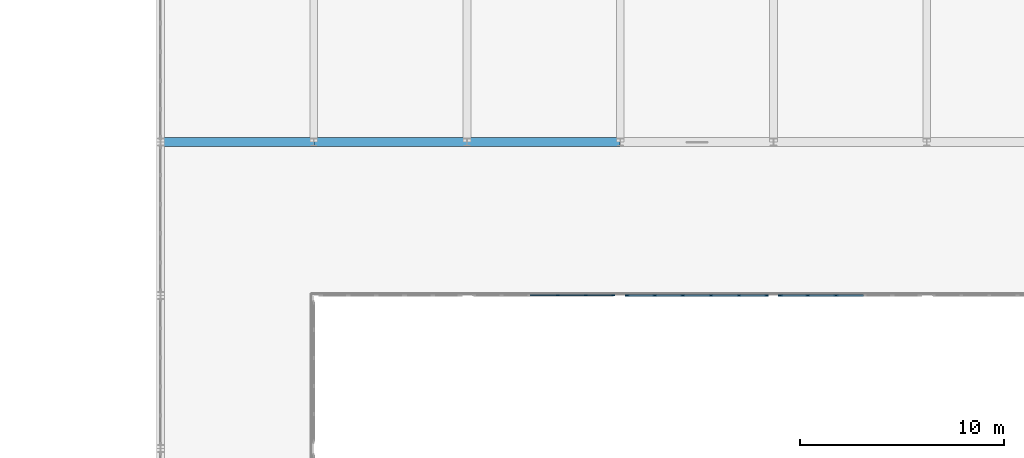
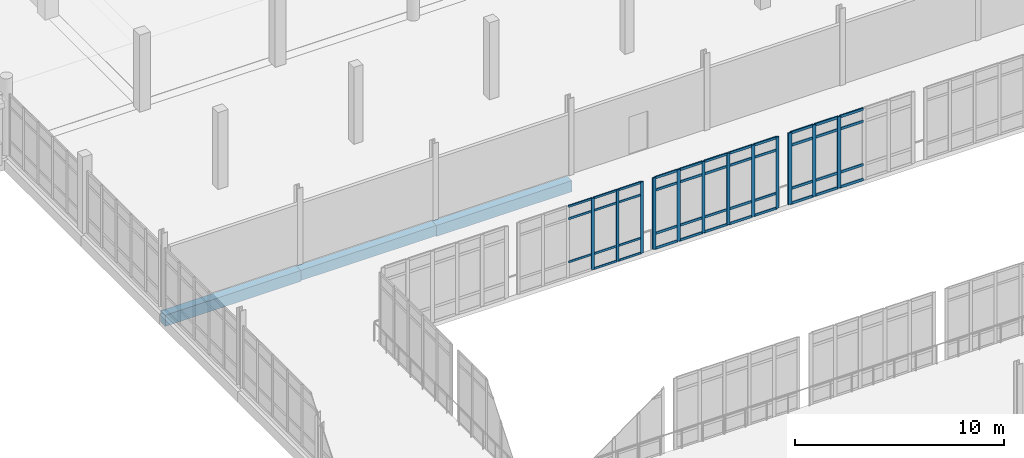
# One storey, part 36 of 128: 55 members, 3 beams, 3 elements without a shape of their own.
"""IFC4 building model written with IfcOpenShell, lengths in metres."""

from ifc_helpers import new_model, si_unit, direction, frame, origin, origin_2d, place, context, subcontext, project, spatial, rectangle, extrude, material, layer, layer_set, material_profile, profile_set, type_object, element, aggregate, save


model = new_model("IFC4")

# Units and contexts
model_context = context("Model", 3, precision=1e-05, world=origin(), true_north=direction((0.0, 1.0)))
body_context = subcontext(model_context, "Body", "Model", "MODEL_VIEW")
ifc_project = project(units=[si_unit("LENGTHUNIT", "METRE"), si_unit("AREAUNIT", "SQUARE_METRE"), si_unit("VOLUMEUNIT", "CUBIC_METRE"), si_unit("PLANEANGLEUNIT", "RADIAN"), si_unit("MASSUNIT", "GRAM", prefix="KILO")], contexts=[model_context])

# Site, building, storey
site_placement = place(None, origin())
site = spatial("IfcSite", under=ifc_project, at=site_placement, CompositionType="ELEMENT")
building_placement = place(site_placement, origin())
building = spatial("IfcBuilding", under=site, at=building_placement, Name="Dalvernix Boulevard General Hospital", CompositionType="ELEMENT")
storey_placement = place(building_placement, frame((0.0, 0.0, 4.800048828125)))
storey = spatial("IfcBuildingStorey", under=building, at=storey_placement, Name="L01", CompositionType="ELEMENT", Elevation=4.800048828125)

# Beams
ifc_material_1 = material(Name="Concrete C35/45", Category="concrete")
ifc_material_profile_1 = material_profile(ifc_material_1, rectangle(XDim=0.449951171875, YDim=0.64990234375, at=origin_2d()), Name="RCB 450x650")
ifc_profile_set_1 = profile_set([ifc_material_profile_1], Name="Concrete C35/45")
beam_type_1 = type_object("IfcBeamType", Name="BM-B-03-I", PredefinedType="BEAM", material=ifc_profile_set_1)
for number, where, z_axis, x_axis, name in (
    (1, (60.0, 61.5, -0.625), (1.0, 0.0, 0.0), (0.0, 1.0, 0.0), "L01 E-W girder J:9-10"),
    (2, (75.0, 61.5, -0.625), (1.0, 0.0, 0.0), (0.0, 1.0, 0.0), "L01 E-W girder J:11-12"),
):
    element("IfcBeam", number, at=place(storey_placement, frame(where, z_axis=z_axis, x_axis=x_axis)), inside=storey, type_object=beam_type_1, Name=name, PredefinedType="BEAM", context=body_context, shape_type="SweptSolid", body=[
        extrude(rectangle(XDim=0.449951171875, YDim=0.64990234375, at=origin_2d()), origin(), (0.0, 0.0, 1.0), 7.5),
    ])
ifc_material_profile_2 = material_profile(ifc_material_1, rectangle(XDim=0.449951171875, YDim=0.60009765625, at=origin_2d()), Name="RCB 450x600")
ifc_profile_set_2 = profile_set([ifc_material_profile_2], Name="Concrete C35/45")
beam_type_2 = type_object("IfcBeamType", Name="BM-B-04-I", PredefinedType="BEAM", material=ifc_profile_set_2)
beam_placement = place(storey_placement, frame((67.5, 61.5, -0.60009765625), z_axis=(1.0, 0.0, 0.0), x_axis=(0.0, 1.0, 0.0)))
element("IfcBeam", 3, at=beam_placement, inside=storey, type_object=beam_type_2, Name="L01 E-W girder J:10-11", PredefinedType="BEAM", context=body_context, shape_type="SweptSolid", body=[
    extrude(rectangle(XDim=0.449951171875, YDim=0.60009765625, at=origin_2d()), origin(), (0.0, 0.0, 1.0), 7.5),
])

# Curtain wall, members
ifc_material_2 = material(Name="Thermally broken aluminium and solar-control glass curtain wall", Category="aluminium")
ifc_layer_1 = layer(ifc_material_2, 0.159912109375)
ifc_layer_set_1 = layer_set([ifc_layer_1], Name="Thermally broken aluminium and solar-control glass curtain wall (CW-CW-A-69x42)")
curtain_wall_type_1 = type_object("IfcCurtainWallType", Name="CW-CW-A-69x42", PredefinedType="USERDEFINED", material=ifc_layer_set_1)
curtain_wall_1_placement = place(storey_placement, origin())
curtain_wall_1 = element("IfcCurtainWall", 4, at=curtain_wall_1_placement, inside=storey, type_object=curtain_wall_type_1, Name="L01 curtain wall CW-A-69x42 10-7", ObjectType="GLAZED FACADE", PredefinedType="USERDEFINED")
ifc_material_3 = material(Name="Aluminium EN AW-6060", Category="aluminium")
ifc_material_profile_3 = material_profile(ifc_material_3, rectangle(XDim=0.06005859375, YDim=0.159912109375, at=origin_2d()), Name="ALU MULL 60x160")
ifc_profile_set_3 = profile_set([ifc_material_profile_3], Name="Aluminium EN AW-6060")
member_type_1 = type_object("IfcMemberType", Name="MEM-CW-M1", PredefinedType="MULLION", material=ifc_profile_set_3)
member_1_placement = place(storey_placement, frame((82.159912109375, 54.0, 0.0), z_axis=(0.0, 0.0, 1.0), x_axis=(0.0, -1.0, 0.0)))
member_1 = element("IfcMember", 5, at=member_1_placement, type_object=member_type_1, Name="CW-A-69x42 mullion 1", PredefinedType="MULLION", context=body_context, shape_type="SweptSolid", body=[
    extrude(rectangle(XDim=0.06005859375, YDim=0.159912109375, at=origin_2d()), origin(), (0.0, 0.0, 1.0), 4.179931640625),
])
member_2_placement = place(storey_placement, frame((80.81396484375, 54.0, 0.0), z_axis=(0.0, 0.0, 1.0), x_axis=(0.0, -1.0, 0.0)))
member_2 = element("IfcMember", 6, at=member_2_placement, type_object=member_type_1, Name="CW-A-69x42 mullion 2", PredefinedType="MULLION", context=body_context, shape_type="SweptSolid", body=[
    extrude(rectangle(XDim=0.06005859375, YDim=0.159912109375, at=origin_2d()), origin(), (0.0, 0.0, 1.0), 4.179931640625),
])
member_3_placement = place(storey_placement, frame((79.43798828125, 54.0, 0.0), z_axis=(0.0, 0.0, 1.0), x_axis=(0.0, -1.0, 0.0)))
member_3 = element("IfcMember", 7, at=member_3_placement, type_object=member_type_1, Name="CW-A-69x42 mullion 3", PredefinedType="MULLION", context=body_context, shape_type="SweptSolid", body=[
    extrude(rectangle(XDim=0.06005859375, YDim=0.159912109375, at=origin_2d()), origin(), (0.0, 0.0, 1.0), 4.179931640625),
])

ifc_layer_2 = layer(ifc_material_2, 0.179931640625)
ifc_layer_set_2 = layer_set([ifc_layer_2], Name="Thermally broken aluminium and solar-control glass curtain wall (CW-CW-B-69x42)")
curtain_wall_type_2 = type_object("IfcCurtainWallType", Name="CW-CW-B-69x42", PredefinedType="USERDEFINED", material=ifc_layer_set_2)
curtain_wall_2_placement = place(storey_placement, origin())
curtain_wall_2 = element("IfcCurtainWall", 8, at=curtain_wall_2_placement, inside=storey, type_object=curtain_wall_type_2, Name="L01 curtain wall CW-B-69x42 11-7", ObjectType="GLAZED FACADE", PredefinedType="USERDEFINED")
ifc_material_profile_4 = material_profile(ifc_material_3, rectangle(XDim=0.06494140625, YDim=0.179931640625, at=origin_2d()), Name="ALU MULL 65x180")
ifc_profile_set_4 = profile_set([ifc_material_profile_4], Name="Aluminium EN AW-6060")
member_type_2 = type_object("IfcMemberType", Name="MEM-CW-M2", PredefinedType="MULLION", material=ifc_profile_set_4)
member_4_placement = place(storey_placement, frame((89.657470703125, 54.0, 0.0), z_axis=(0.0, 0.0, 1.0), x_axis=(0.0, -1.0, 0.0)))
member_4 = element("IfcMember", 9, at=member_4_placement, type_object=member_type_2, Name="CW-B-69x42 mullion 1", PredefinedType="MULLION", context=body_context, shape_type="SweptSolid", body=[
    extrude(rectangle(XDim=0.06494140625, YDim=0.179931640625, at=origin_2d()), origin(), (0.0, 0.0, 1.0), 4.179931640625),
])
member_5_placement = place(storey_placement, frame((88.31396484375, 54.0, 0.0), z_axis=(0.0, 0.0, 1.0), x_axis=(0.0, -1.0, 0.0)))
member_5 = element("IfcMember", 10, at=member_5_placement, type_object=member_type_2, Name="CW-B-69x42 mullion 2", PredefinedType="MULLION", context=body_context, shape_type="SweptSolid", body=[
    extrude(rectangle(XDim=0.06494140625, YDim=0.179931640625, at=origin_2d()), origin(), (0.0, 0.0, 1.0), 4.179931640625),
])
member_6_placement = place(storey_placement, frame((86.93798828125, 54.0, 0.0), z_axis=(0.0, 0.0, 1.0), x_axis=(0.0, -1.0, 0.0)))
member_6 = element("IfcMember", 11, at=member_6_placement, type_object=member_type_2, Name="CW-B-69x42 mullion 3", PredefinedType="MULLION", context=body_context, shape_type="SweptSolid", body=[
    extrude(rectangle(XDim=0.06494140625, YDim=0.179931640625, at=origin_2d()), origin(), (0.0, 0.0, 1.0), 4.179931640625),
])
member_7_placement = place(storey_placement, frame((85.56201171875, 54.0, 0.0), z_axis=(0.0, 0.0, 1.0), x_axis=(0.0, -1.0, 0.0)))
member_7 = element("IfcMember", 12, at=member_7_placement, type_object=member_type_2, Name="CW-B-69x42 mullion 4", PredefinedType="MULLION", context=body_context, shape_type="SweptSolid", body=[
    extrude(rectangle(XDim=0.06494140625, YDim=0.179931640625, at=origin_2d()), origin(), (0.0, 0.0, 1.0), 4.179931640625),
])
member_8_placement = place(storey_placement, frame((84.18603515625, 54.0, 0.0), z_axis=(0.0, 0.0, 1.0), x_axis=(0.0, -1.0, 0.0)))
member_8 = element("IfcMember", 13, at=member_8_placement, type_object=member_type_2, Name="CW-B-69x42 mullion 5", PredefinedType="MULLION", context=body_context, shape_type="SweptSolid", body=[
    extrude(rectangle(XDim=0.06494140625, YDim=0.179931640625, at=origin_2d()), origin(), (0.0, 0.0, 1.0), 4.179931640625),
])
member_9_placement = place(storey_placement, frame((82.842529296875, 54.0, 0.0), z_axis=(0.0, 0.0, 1.0), x_axis=(0.0, -1.0, 0.0)))
member_9 = element("IfcMember", 14, at=member_9_placement, type_object=member_type_2, Name="CW-B-69x42 mullion 6", PredefinedType="MULLION", context=body_context, shape_type="SweptSolid", body=[
    extrude(rectangle(XDim=0.06494140625, YDim=0.179931640625, at=origin_2d()), origin(), (0.0, 0.0, 1.0), 4.179931640625),
])

ifc_layer_3 = layer(ifc_material_2, 0.199951171875)
ifc_layer_set_3 = layer_set([ifc_layer_3], Name="Thermally broken aluminium and solar-control glass curtain wall (CW-CW-C-69x42)")
curtain_wall_type_3 = type_object("IfcCurtainWallType", Name="CW-CW-C-69x42", PredefinedType="USERDEFINED", material=ifc_layer_set_3)
curtain_wall_3_placement = place(storey_placement, origin())
curtain_wall_3 = element("IfcCurtainWall", 15, at=curtain_wall_3_placement, inside=storey, type_object=curtain_wall_type_3, Name="L01 curtain wall CW-C-69x42 12-7", ObjectType="GLAZED FACADE", PredefinedType="USERDEFINED")
ifc_material_profile_5 = material_profile(ifc_material_3, rectangle(XDim=0.070068359375, YDim=0.199951171875, at=origin_2d()), Name="ALU MULL 70x200")
ifc_profile_set_5 = profile_set([ifc_material_profile_5], Name="Aluminium EN AW-6060")
member_type_3 = type_object("IfcMemberType", Name="MEM-CW-M3", PredefinedType="MULLION", material=ifc_profile_set_5)
member_10_placement = place(storey_placement, frame((93.06201171875, 54.0, 0.0), z_axis=(0.0, 0.0, 1.0), x_axis=(0.0, -1.0, 0.0)))
member_10 = element("IfcMember", 16, at=member_10_placement, type_object=member_type_3, Name="CW-C-69x42 mullion 4", PredefinedType="MULLION", context=body_context, shape_type="SweptSolid", body=[
    extrude(rectangle(XDim=0.070068359375, YDim=0.199951171875, at=origin_2d()), origin(), (0.0, 0.0, 1.0), 4.179931640625),
])
member_11_placement = place(storey_placement, frame((91.68603515625, 54.0, 0.0), z_axis=(0.0, 0.0, 1.0), x_axis=(0.0, -1.0, 0.0)))
member_11 = element("IfcMember", 17, at=member_11_placement, type_object=member_type_3, Name="CW-C-69x42 mullion 5", PredefinedType="MULLION", context=body_context, shape_type="SweptSolid", body=[
    extrude(rectangle(XDim=0.070068359375, YDim=0.199951171875, at=origin_2d()), origin(), (0.0, 0.0, 1.0), 4.179931640625),
])
member_12_placement = place(storey_placement, frame((90.344970703125, 54.0, 0.0), z_axis=(0.0, 0.0, 1.0), x_axis=(0.0, -1.0, 0.0)))
member_12 = element("IfcMember", 18, at=member_12_placement, type_object=member_type_3, Name="CW-C-69x42 mullion 6", PredefinedType="MULLION", context=body_context, shape_type="SweptSolid", body=[
    extrude(rectangle(XDim=0.070068359375, YDim=0.199951171875, at=origin_2d()), origin(), (0.0, 0.0, 1.0), 4.179931640625),
])

# Member
ifc_material_profile_6 = material_profile(ifc_material_3, rectangle(XDim=0.06005859375, YDim=0.1201171875, at=origin_2d()), Name="ALU TRAN 60x120")
ifc_profile_set_6 = profile_set([ifc_material_profile_6], Name="Aluminium EN AW-6060")
member_type_4 = type_object("IfcMemberType", Name="MEM-CW-T1", PredefinedType="USERDEFINED", material=ifc_profile_set_6)
member_13_placement = place(storey_placement, frame((82.1298828125, 54.0, 0.030029296875), z_axis=(-1.0, 0.0, 0.0), x_axis=(0.0, -1.0, 0.0)))
member_13 = element("IfcMember", 19, at=member_13_placement, type_object=member_type_4, Name="CW-A-69x42 transom 1.1", ObjectType="TRANSOM", PredefinedType="USERDEFINED", context=body_context, shape_type="SweptSolid", body=[
    extrude(rectangle(XDim=0.06005859375, YDim=0.1201171875, at=origin_2d()), origin(), (0.0, 0.0, 1.0), 1.285888671875),
])

member_14_placement = place(storey_placement, frame((82.1298828125, 54.0, 0.89990234375), z_axis=(-1.0, 0.0, 0.0), x_axis=(0.0, -1.0, 0.0)))
member_14 = element("IfcMember", 20, at=member_14_placement, type_object=member_type_4, Name="CW-A-69x42 transom 1.2", ObjectType="TRANSOM", PredefinedType="USERDEFINED", context=body_context, shape_type="SweptSolid", body=[
    extrude(rectangle(XDim=0.06005859375, YDim=0.1201171875, at=origin_2d()), origin(), (0.0, 0.0, 1.0), 1.285888671875),
])

member_15_placement = place(storey_placement, frame((82.1298828125, 54.0, 3.429931640625), z_axis=(-1.0, 0.0, 0.0), x_axis=(0.0, -1.0, 0.0)))
member_15 = element("IfcMember", 21, at=member_15_placement, type_object=member_type_4, Name="CW-A-69x42 transom 1.3", ObjectType="TRANSOM", PredefinedType="USERDEFINED", context=body_context, shape_type="SweptSolid", body=[
    extrude(rectangle(XDim=0.06005859375, YDim=0.1201171875, at=origin_2d()), origin(), (0.0, 0.0, 1.0), 1.285888671875),
])

member_16_placement = place(storey_placement, frame((82.1298828125, 54.0, 4.14990234375), z_axis=(-1.0, 0.0, 0.0), x_axis=(0.0, -1.0, 0.0)))
member_16 = element("IfcMember", 22, at=member_16_placement, type_object=member_type_4, Name="CW-A-69x42 transom 1.4", ObjectType="TRANSOM", PredefinedType="USERDEFINED", context=body_context, shape_type="SweptSolid", body=[
    extrude(rectangle(XDim=0.06005859375, YDim=0.1201171875, at=origin_2d()), origin(), (0.0, 0.0, 1.0), 1.285888671875),
])

member_17_placement = place(storey_placement, frame((80.783935546875, 54.0, 0.030029296875), z_axis=(-1.0, 0.0, 0.0), x_axis=(0.0, -1.0, 0.0)))
member_17 = element("IfcMember", 23, at=member_17_placement, type_object=member_type_4, Name="CW-A-69x42 transom 2.1", ObjectType="TRANSOM", PredefinedType="USERDEFINED", context=body_context, shape_type="SweptSolid", body=[
    extrude(rectangle(XDim=0.06005859375, YDim=0.1201171875, at=origin_2d()), origin(), (0.0, 0.0, 1.0), 1.31591796875),
])

member_18_placement = place(storey_placement, frame((80.783935546875, 54.0, 0.89990234375), z_axis=(-1.0, 0.0, 0.0), x_axis=(0.0, -1.0, 0.0)))
member_18 = element("IfcMember", 24, at=member_18_placement, type_object=member_type_4, Name="CW-A-69x42 transom 2.2", ObjectType="TRANSOM", PredefinedType="USERDEFINED", context=body_context, shape_type="SweptSolid", body=[
    extrude(rectangle(XDim=0.06005859375, YDim=0.1201171875, at=origin_2d()), origin(), (0.0, 0.0, 1.0), 1.31591796875),
])

member_19_placement = place(storey_placement, frame((80.783935546875, 54.0, 3.429931640625), z_axis=(-1.0, 0.0, 0.0), x_axis=(0.0, -1.0, 0.0)))
member_19 = element("IfcMember", 25, at=member_19_placement, type_object=member_type_4, Name="CW-A-69x42 transom 2.3", ObjectType="TRANSOM", PredefinedType="USERDEFINED", context=body_context, shape_type="SweptSolid", body=[
    extrude(rectangle(XDim=0.06005859375, YDim=0.1201171875, at=origin_2d()), origin(), (0.0, 0.0, 1.0), 1.31591796875),
])

member_20_placement = place(storey_placement, frame((80.783935546875, 54.0, 4.14990234375), z_axis=(-1.0, 0.0, 0.0), x_axis=(0.0, -1.0, 0.0)))
member_20 = element("IfcMember", 26, at=member_20_placement, type_object=member_type_4, Name="CW-A-69x42 transom 2.4", ObjectType="TRANSOM", PredefinedType="USERDEFINED", context=body_context, shape_type="SweptSolid", body=[
    extrude(rectangle(XDim=0.06005859375, YDim=0.1201171875, at=origin_2d()), origin(), (0.0, 0.0, 1.0), 1.31591796875),
])

member_21_placement = place(storey_placement, frame((79.407958984375, 54.0, 0.89990234375), z_axis=(-1.0, 0.0, 0.0), x_axis=(0.0, -1.0, 0.0)))
member_21 = element("IfcMember", 27, at=member_21_placement, type_object=member_type_4, Name="CW-A-69x42 transom 3.2", ObjectType="TRANSOM", PredefinedType="USERDEFINED", context=body_context, shape_type="SweptSolid", body=[
    extrude(rectangle(XDim=0.06005859375, YDim=0.1201171875, at=origin_2d()), origin(), (0.0, 0.0, 1.0), 1.31591796875),
])

member_22_placement = place(storey_placement, frame((79.407958984375, 54.0, 3.429931640625), z_axis=(-1.0, 0.0, 0.0), x_axis=(0.0, -1.0, 0.0)))
member_22 = element("IfcMember", 28, at=member_22_placement, type_object=member_type_4, Name="CW-A-69x42 transom 3.3", ObjectType="TRANSOM", PredefinedType="USERDEFINED", context=body_context, shape_type="SweptSolid", body=[
    extrude(rectangle(XDim=0.06005859375, YDim=0.1201171875, at=origin_2d()), origin(), (0.0, 0.0, 1.0), 1.31591796875),
])

member_23_placement = place(storey_placement, frame((79.407958984375, 54.0, 4.14990234375), z_axis=(-1.0, 0.0, 0.0), x_axis=(0.0, -1.0, 0.0)))
member_23 = element("IfcMember", 29, at=member_23_placement, type_object=member_type_4, Name="CW-A-69x42 transom 3.4", ObjectType="TRANSOM", PredefinedType="USERDEFINED", context=body_context, shape_type="SweptSolid", body=[
    extrude(rectangle(XDim=0.06005859375, YDim=0.1201171875, at=origin_2d()), origin(), (0.0, 0.0, 1.0), 1.31591796875),
])

aggregate(curtain_wall_1, [member_1, member_2, member_3, member_13, member_14, member_15, member_16, member_17, member_18, member_19, member_20, member_21, member_22, member_23])

ifc_material_profile_7 = material_profile(ifc_material_3, rectangle(XDim=0.06494140625, YDim=0.139892578125, at=origin_2d()), Name="ALU TRAN 65x140")
ifc_profile_set_7 = profile_set([ifc_material_profile_7], Name="Aluminium EN AW-6060")
member_type_5 = type_object("IfcMemberType", Name="MEM-CW-T2", PredefinedType="USERDEFINED", material=ifc_profile_set_7)
member_24_placement = place(storey_placement, frame((89.625, 54.0, 0.032470703125), z_axis=(-1.0, 0.0, 0.0), x_axis=(0.0, -1.0, 0.0)))
member_24 = element("IfcMember", 30, at=member_24_placement, type_object=member_type_5, Name="CW-B-69x42 transom 1.1", ObjectType="TRANSOM", PredefinedType="USERDEFINED", context=body_context, shape_type="SweptSolid", body=[
    extrude(rectangle(XDim=0.06494140625, YDim=0.139892578125, at=origin_2d()), origin(), (0.0, 0.0, 1.0), 1.278564453125),
])

member_25_placement = place(storey_placement, frame((89.625, 54.0, 0.89990234375), z_axis=(-1.0, 0.0, 0.0), x_axis=(0.0, -1.0, 0.0)))
member_25 = element("IfcMember", 31, at=member_25_placement, type_object=member_type_5, Name="CW-B-69x42 transom 1.2", ObjectType="TRANSOM", PredefinedType="USERDEFINED", context=body_context, shape_type="SweptSolid", body=[
    extrude(rectangle(XDim=0.06494140625, YDim=0.139892578125, at=origin_2d()), origin(), (0.0, 0.0, 1.0), 1.278564453125),
])

member_26_placement = place(storey_placement, frame((89.625, 54.0, 3.429931640625), z_axis=(-1.0, 0.0, 0.0), x_axis=(0.0, -1.0, 0.0)))
member_26 = element("IfcMember", 32, at=member_26_placement, type_object=member_type_5, Name="CW-B-69x42 transom 1.3", ObjectType="TRANSOM", PredefinedType="USERDEFINED", context=body_context, shape_type="SweptSolid", body=[
    extrude(rectangle(XDim=0.06494140625, YDim=0.139892578125, at=origin_2d()), origin(), (0.0, 0.0, 1.0), 1.278564453125),
])

member_27_placement = place(storey_placement, frame((89.625, 54.0, 4.1474609375), z_axis=(-1.0, 0.0, 0.0), x_axis=(0.0, -1.0, 0.0)))
member_27 = element("IfcMember", 33, at=member_27_placement, type_object=member_type_5, Name="CW-B-69x42 transom 1.4", ObjectType="TRANSOM", PredefinedType="USERDEFINED", context=body_context, shape_type="SweptSolid", body=[
    extrude(rectangle(XDim=0.06494140625, YDim=0.139892578125, at=origin_2d()), origin(), (0.0, 0.0, 1.0), 1.278564453125),
])

member_28_placement = place(storey_placement, frame((88.281494140625, 54.0, 0.032470703125), z_axis=(-1.0, 0.0, 0.0), x_axis=(0.0, -1.0, 0.0)))
member_28 = element("IfcMember", 34, at=member_28_placement, type_object=member_type_5, Name="CW-B-69x42 transom 2.1", ObjectType="TRANSOM", PredefinedType="USERDEFINED", context=body_context, shape_type="SweptSolid", body=[
    extrude(rectangle(XDim=0.06494140625, YDim=0.139892578125, at=origin_2d()), origin(), (0.0, 0.0, 1.0), 1.31103515625),
])

member_29_placement = place(storey_placement, frame((88.281494140625, 54.0, 0.89990234375), z_axis=(-1.0, 0.0, 0.0), x_axis=(0.0, -1.0, 0.0)))
member_29 = element("IfcMember", 35, at=member_29_placement, type_object=member_type_5, Name="CW-B-69x42 transom 2.2", ObjectType="TRANSOM", PredefinedType="USERDEFINED", context=body_context, shape_type="SweptSolid", body=[
    extrude(rectangle(XDim=0.06494140625, YDim=0.139892578125, at=origin_2d()), origin(), (0.0, 0.0, 1.0), 1.31103515625),
])

member_30_placement = place(storey_placement, frame((88.281494140625, 54.0, 3.429931640625), z_axis=(-1.0, 0.0, 0.0), x_axis=(0.0, -1.0, 0.0)))
member_30 = element("IfcMember", 36, at=member_30_placement, type_object=member_type_5, Name="CW-B-69x42 transom 2.3", ObjectType="TRANSOM", PredefinedType="USERDEFINED", context=body_context, shape_type="SweptSolid", body=[
    extrude(rectangle(XDim=0.06494140625, YDim=0.139892578125, at=origin_2d()), origin(), (0.0, 0.0, 1.0), 1.31103515625),
])

member_31_placement = place(storey_placement, frame((88.281494140625, 54.0, 4.1474609375), z_axis=(-1.0, 0.0, 0.0), x_axis=(0.0, -1.0, 0.0)))
member_31 = element("IfcMember", 37, at=member_31_placement, type_object=member_type_5, Name="CW-B-69x42 transom 2.4", ObjectType="TRANSOM", PredefinedType="USERDEFINED", context=body_context, shape_type="SweptSolid", body=[
    extrude(rectangle(XDim=0.06494140625, YDim=0.139892578125, at=origin_2d()), origin(), (0.0, 0.0, 1.0), 1.31103515625),
])

member_32_placement = place(storey_placement, frame((86.905517578125, 54.0, 0.032470703125), z_axis=(-1.0, 0.0, 0.0), x_axis=(0.0, -1.0, 0.0)))
member_32 = element("IfcMember", 38, at=member_32_placement, type_object=member_type_5, Name="CW-B-69x42 transom 3.1", ObjectType="TRANSOM", PredefinedType="USERDEFINED", context=body_context, shape_type="SweptSolid", body=[
    extrude(rectangle(XDim=0.06494140625, YDim=0.139892578125, at=origin_2d()), origin(), (0.0, 0.0, 1.0), 1.31103515625),
])

member_33_placement = place(storey_placement, frame((86.905517578125, 54.0, 0.89990234375), z_axis=(-1.0, 0.0, 0.0), x_axis=(0.0, -1.0, 0.0)))
member_33 = element("IfcMember", 39, at=member_33_placement, type_object=member_type_5, Name="CW-B-69x42 transom 3.2", ObjectType="TRANSOM", PredefinedType="USERDEFINED", context=body_context, shape_type="SweptSolid", body=[
    extrude(rectangle(XDim=0.06494140625, YDim=0.139892578125, at=origin_2d()), origin(), (0.0, 0.0, 1.0), 1.31103515625),
])

member_34_placement = place(storey_placement, frame((86.905517578125, 54.0, 3.429931640625), z_axis=(-1.0, 0.0, 0.0), x_axis=(0.0, -1.0, 0.0)))
member_34 = element("IfcMember", 40, at=member_34_placement, type_object=member_type_5, Name="CW-B-69x42 transom 3.3", ObjectType="TRANSOM", PredefinedType="USERDEFINED", context=body_context, shape_type="SweptSolid", body=[
    extrude(rectangle(XDim=0.06494140625, YDim=0.139892578125, at=origin_2d()), origin(), (0.0, 0.0, 1.0), 1.31103515625),
])

member_35_placement = place(storey_placement, frame((86.905517578125, 54.0, 4.1474609375), z_axis=(-1.0, 0.0, 0.0), x_axis=(0.0, -1.0, 0.0)))
member_35 = element("IfcMember", 41, at=member_35_placement, type_object=member_type_5, Name="CW-B-69x42 transom 3.4", ObjectType="TRANSOM", PredefinedType="USERDEFINED", context=body_context, shape_type="SweptSolid", body=[
    extrude(rectangle(XDim=0.06494140625, YDim=0.139892578125, at=origin_2d()), origin(), (0.0, 0.0, 1.0), 1.31103515625),
])

member_36_placement = place(storey_placement, frame((85.529541015625, 54.0, 0.032470703125), z_axis=(-1.0, 0.0, 0.0), x_axis=(0.0, -1.0, 0.0)))
member_36 = element("IfcMember", 42, at=member_36_placement, type_object=member_type_5, Name="CW-B-69x42 transom 4.1", ObjectType="TRANSOM", PredefinedType="USERDEFINED", context=body_context, shape_type="SweptSolid", body=[
    extrude(rectangle(XDim=0.06494140625, YDim=0.139892578125, at=origin_2d()), origin(), (0.0, 0.0, 1.0), 1.31103515625),
])

member_37_placement = place(storey_placement, frame((85.529541015625, 54.0, 0.89990234375), z_axis=(-1.0, 0.0, 0.0), x_axis=(0.0, -1.0, 0.0)))
member_37 = element("IfcMember", 43, at=member_37_placement, type_object=member_type_5, Name="CW-B-69x42 transom 4.2", ObjectType="TRANSOM", PredefinedType="USERDEFINED", context=body_context, shape_type="SweptSolid", body=[
    extrude(rectangle(XDim=0.06494140625, YDim=0.139892578125, at=origin_2d()), origin(), (0.0, 0.0, 1.0), 1.31103515625),
])

member_38_placement = place(storey_placement, frame((85.529541015625, 54.0, 3.429931640625), z_axis=(-1.0, 0.0, 0.0), x_axis=(0.0, -1.0, 0.0)))
member_38 = element("IfcMember", 44, at=member_38_placement, type_object=member_type_5, Name="CW-B-69x42 transom 4.3", ObjectType="TRANSOM", PredefinedType="USERDEFINED", context=body_context, shape_type="SweptSolid", body=[
    extrude(rectangle(XDim=0.06494140625, YDim=0.139892578125, at=origin_2d()), origin(), (0.0, 0.0, 1.0), 1.31103515625),
])

member_39_placement = place(storey_placement, frame((85.529541015625, 54.0, 4.1474609375), z_axis=(-1.0, 0.0, 0.0), x_axis=(0.0, -1.0, 0.0)))
member_39 = element("IfcMember", 45, at=member_39_placement, type_object=member_type_5, Name="CW-B-69x42 transom 4.4", ObjectType="TRANSOM", PredefinedType="USERDEFINED", context=body_context, shape_type="SweptSolid", body=[
    extrude(rectangle(XDim=0.06494140625, YDim=0.139892578125, at=origin_2d()), origin(), (0.0, 0.0, 1.0), 1.31103515625),
])

member_40_placement = place(storey_placement, frame((84.153564453125, 54.0, 0.032470703125), z_axis=(-1.0, 0.0, 0.0), x_axis=(0.0, -1.0, 0.0)))
member_40 = element("IfcMember", 46, at=member_40_placement, type_object=member_type_5, Name="CW-B-69x42 transom 5.1", ObjectType="TRANSOM", PredefinedType="USERDEFINED", context=body_context, shape_type="SweptSolid", body=[
    extrude(rectangle(XDim=0.06494140625, YDim=0.139892578125, at=origin_2d()), origin(), (0.0, 0.0, 1.0), 1.278564453125),
])

member_41_placement = place(storey_placement, frame((84.153564453125, 54.0, 0.89990234375), z_axis=(-1.0, 0.0, 0.0), x_axis=(0.0, -1.0, 0.0)))
member_41 = element("IfcMember", 47, at=member_41_placement, type_object=member_type_5, Name="CW-B-69x42 transom 5.2", ObjectType="TRANSOM", PredefinedType="USERDEFINED", context=body_context, shape_type="SweptSolid", body=[
    extrude(rectangle(XDim=0.06494140625, YDim=0.139892578125, at=origin_2d()), origin(), (0.0, 0.0, 1.0), 1.278564453125),
])

member_42_placement = place(storey_placement, frame((84.153564453125, 54.0, 3.429931640625), z_axis=(-1.0, 0.0, 0.0), x_axis=(0.0, -1.0, 0.0)))
member_42 = element("IfcMember", 48, at=member_42_placement, type_object=member_type_5, Name="CW-B-69x42 transom 5.3", ObjectType="TRANSOM", PredefinedType="USERDEFINED", context=body_context, shape_type="SweptSolid", body=[
    extrude(rectangle(XDim=0.06494140625, YDim=0.139892578125, at=origin_2d()), origin(), (0.0, 0.0, 1.0), 1.278564453125),
])

member_43_placement = place(storey_placement, frame((84.153564453125, 54.0, 4.1474609375), z_axis=(-1.0, 0.0, 0.0), x_axis=(0.0, -1.0, 0.0)))
member_43 = element("IfcMember", 49, at=member_43_placement, type_object=member_type_5, Name="CW-B-69x42 transom 5.4", ObjectType="TRANSOM", PredefinedType="USERDEFINED", context=body_context, shape_type="SweptSolid", body=[
    extrude(rectangle(XDim=0.06494140625, YDim=0.139892578125, at=origin_2d()), origin(), (0.0, 0.0, 1.0), 1.278564453125),
])

aggregate(curtain_wall_2, [member_4, member_5, member_6, member_7, member_8, member_9, member_24, member_25, member_26, member_27, member_28, member_29, member_30, member_31, member_32, member_33, member_34, member_35, member_36, member_37, member_38, member_39, member_40, member_41, member_42, member_43])

ifc_material_profile_8 = material_profile(ifc_material_3, rectangle(XDim=0.070068359375, YDim=0.14990234375, at=origin_2d()), Name="ALU TRAN 70x150")
ifc_profile_set_8 = profile_set([ifc_material_profile_8], Name="Aluminium EN AW-6060")
member_type_6 = type_object("IfcMemberType", Name="MEM-CW-T3", PredefinedType="USERDEFINED", material=ifc_profile_set_8)
member_44_placement = place(storey_placement, frame((94.403076171875, 54.0, 0.034912109375), z_axis=(-1.0, 0.0, 0.0), x_axis=(0.0, -1.0, 0.0)))
member_44 = element("IfcMember", 50, at=member_44_placement, type_object=member_type_6, Name="CW-C-69x42 transom 3.1", ObjectType="TRANSOM", PredefinedType="USERDEFINED", context=body_context, shape_type="SweptSolid", body=[
    extrude(rectangle(XDim=0.070068359375, YDim=0.14990234375, at=origin_2d()), origin(), (0.0, 0.0, 1.0), 1.30615234375),
])

member_45_placement = place(storey_placement, frame((94.403076171875, 54.0, 0.89990234375), z_axis=(-1.0, 0.0, 0.0), x_axis=(0.0, -1.0, 0.0)))
member_45 = element("IfcMember", 51, at=member_45_placement, type_object=member_type_6, Name="CW-C-69x42 transom 3.2", ObjectType="TRANSOM", PredefinedType="USERDEFINED", context=body_context, shape_type="SweptSolid", body=[
    extrude(rectangle(XDim=0.070068359375, YDim=0.14990234375, at=origin_2d()), origin(), (0.0, 0.0, 1.0), 1.30615234375),
])

member_46_placement = place(storey_placement, frame((94.403076171875, 54.0, 3.429931640625), z_axis=(-1.0, 0.0, 0.0), x_axis=(0.0, -1.0, 0.0)))
member_46 = element("IfcMember", 52, at=member_46_placement, type_object=member_type_6, Name="CW-C-69x42 transom 3.3", ObjectType="TRANSOM", PredefinedType="USERDEFINED", context=body_context, shape_type="SweptSolid", body=[
    extrude(rectangle(XDim=0.070068359375, YDim=0.14990234375, at=origin_2d()), origin(), (0.0, 0.0, 1.0), 1.30615234375),
])

member_47_placement = place(storey_placement, frame((94.403076171875, 54.0, 4.14501953125), z_axis=(-1.0, 0.0, 0.0), x_axis=(0.0, -1.0, 0.0)))
member_47 = element("IfcMember", 53, at=member_47_placement, type_object=member_type_6, Name="CW-C-69x42 transom 3.4", ObjectType="TRANSOM", PredefinedType="USERDEFINED", context=body_context, shape_type="SweptSolid", body=[
    extrude(rectangle(XDim=0.070068359375, YDim=0.14990234375, at=origin_2d()), origin(), (0.0, 0.0, 1.0), 1.30615234375),
])

member_48_placement = place(storey_placement, frame((93.027099609375, 54.0, 0.034912109375), z_axis=(-1.0, 0.0, 0.0), x_axis=(0.0, -1.0, 0.0)))
member_48 = element("IfcMember", 54, at=member_48_placement, type_object=member_type_6, Name="CW-C-69x42 transom 4.1", ObjectType="TRANSOM", PredefinedType="USERDEFINED", context=body_context, shape_type="SweptSolid", body=[
    extrude(rectangle(XDim=0.070068359375, YDim=0.14990234375, at=origin_2d()), origin(), (0.0, 0.0, 1.0), 1.30615234375),
])

member_49_placement = place(storey_placement, frame((93.027099609375, 54.0, 0.89990234375), z_axis=(-1.0, 0.0, 0.0), x_axis=(0.0, -1.0, 0.0)))
member_49 = element("IfcMember", 55, at=member_49_placement, type_object=member_type_6, Name="CW-C-69x42 transom 4.2", ObjectType="TRANSOM", PredefinedType="USERDEFINED", context=body_context, shape_type="SweptSolid", body=[
    extrude(rectangle(XDim=0.070068359375, YDim=0.14990234375, at=origin_2d()), origin(), (0.0, 0.0, 1.0), 1.30615234375),
])

member_50_placement = place(storey_placement, frame((93.027099609375, 54.0, 3.429931640625), z_axis=(-1.0, 0.0, 0.0), x_axis=(0.0, -1.0, 0.0)))
member_50 = element("IfcMember", 56, at=member_50_placement, type_object=member_type_6, Name="CW-C-69x42 transom 4.3", ObjectType="TRANSOM", PredefinedType="USERDEFINED", context=body_context, shape_type="SweptSolid", body=[
    extrude(rectangle(XDim=0.070068359375, YDim=0.14990234375, at=origin_2d()), origin(), (0.0, 0.0, 1.0), 1.30615234375),
])

member_51_placement = place(storey_placement, frame((93.027099609375, 54.0, 4.14501953125), z_axis=(-1.0, 0.0, 0.0), x_axis=(0.0, -1.0, 0.0)))
member_51 = element("IfcMember", 57, at=member_51_placement, type_object=member_type_6, Name="CW-C-69x42 transom 4.4", ObjectType="TRANSOM", PredefinedType="USERDEFINED", context=body_context, shape_type="SweptSolid", body=[
    extrude(rectangle(XDim=0.070068359375, YDim=0.14990234375, at=origin_2d()), origin(), (0.0, 0.0, 1.0), 1.30615234375),
])

member_52_placement = place(storey_placement, frame((91.65087890625, 54.0, 0.034912109375), z_axis=(-1.0, 0.0, 0.0), x_axis=(0.0, -1.0, 0.0)))
member_52 = element("IfcMember", 58, at=member_52_placement, type_object=member_type_6, Name="CW-C-69x42 transom 5.1", ObjectType="TRANSOM", PredefinedType="USERDEFINED", context=body_context, shape_type="SweptSolid", body=[
    extrude(rectangle(XDim=0.070068359375, YDim=0.14990234375, at=origin_2d()), origin(), (0.0, 0.0, 1.0), 1.27099609375),
])

member_53_placement = place(storey_placement, frame((91.65087890625, 54.0, 0.89990234375), z_axis=(-1.0, 0.0, 0.0), x_axis=(0.0, -1.0, 0.0)))
member_53 = element("IfcMember", 59, at=member_53_placement, type_object=member_type_6, Name="CW-C-69x42 transom 5.2", ObjectType="TRANSOM", PredefinedType="USERDEFINED", context=body_context, shape_type="SweptSolid", body=[
    extrude(rectangle(XDim=0.070068359375, YDim=0.14990234375, at=origin_2d()), origin(), (0.0, 0.0, 1.0), 1.27099609375),
])

member_54_placement = place(storey_placement, frame((91.65087890625, 54.0, 3.429931640625), z_axis=(-1.0, 0.0, 0.0), x_axis=(0.0, -1.0, 0.0)))
member_54 = element("IfcMember", 60, at=member_54_placement, type_object=member_type_6, Name="CW-C-69x42 transom 5.3", ObjectType="TRANSOM", PredefinedType="USERDEFINED", context=body_context, shape_type="SweptSolid", body=[
    extrude(rectangle(XDim=0.070068359375, YDim=0.14990234375, at=origin_2d()), origin(), (0.0, 0.0, 1.0), 1.27099609375),
])

member_55_placement = place(storey_placement, frame((91.65087890625, 54.0, 4.14501953125), z_axis=(-1.0, 0.0, 0.0), x_axis=(0.0, -1.0, 0.0)))
member_55 = element("IfcMember", 61, at=member_55_placement, type_object=member_type_6, Name="CW-C-69x42 transom 5.4", ObjectType="TRANSOM", PredefinedType="USERDEFINED", context=body_context, shape_type="SweptSolid", body=[
    extrude(rectangle(XDim=0.070068359375, YDim=0.14990234375, at=origin_2d()), origin(), (0.0, 0.0, 1.0), 1.27099609375),
])

aggregate(curtain_wall_3, [member_10, member_11, member_12, member_44, member_45, member_46, member_47, member_48, member_49, member_50, member_51, member_52, member_53, member_54, member_55])

save(model, "model.ifc")
